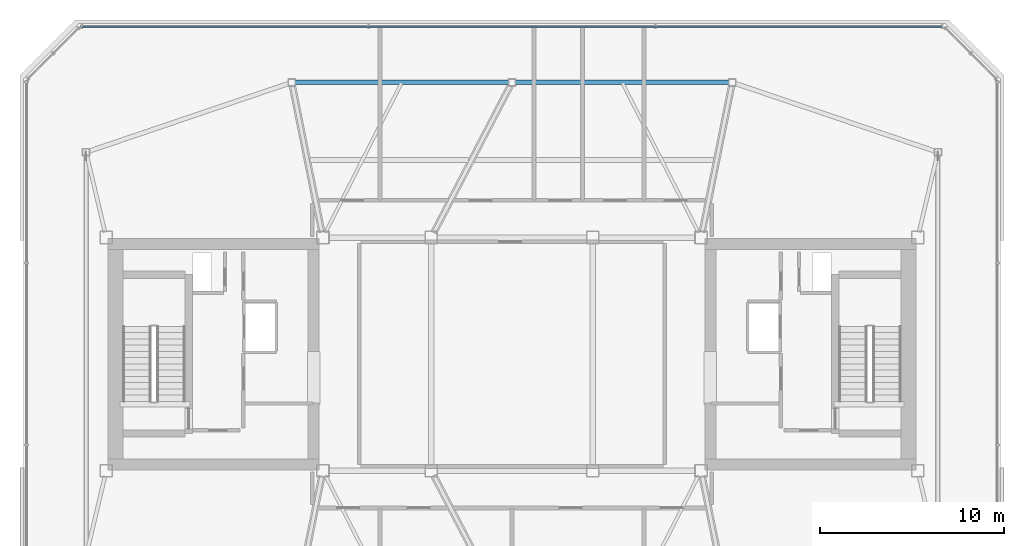
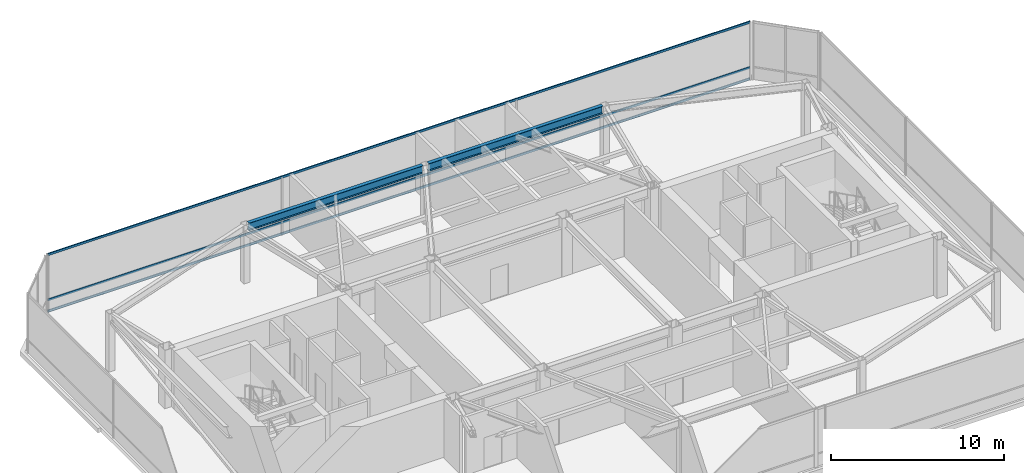
# One storey, part 14 of 21: 3 members, 2 beams, 1 element without a shape of its own.
"""IFC4 building model written with IfcOpenShell, lengths in metres."""

from ifc_helpers import new_model, si_unit, direction, frame, origin, origin_2d, place, context, subcontext, project, spatial, hollow_rectangle, i_section, extrude, material, layer, layer_set, material_profile, profile_set, type_object, element, aggregate, save


model = new_model("IFC4")

# Units and contexts
model_context = context("Model", 3, precision=1e-05, world=origin(), true_north=direction((0.0, 1.0)))
body_context = subcontext(model_context, "Body", "Model", "MODEL_VIEW")
ifc_project = project(units=[si_unit("LENGTHUNIT", "METRE"), si_unit("AREAUNIT", "SQUARE_METRE"), si_unit("VOLUMEUNIT", "CUBIC_METRE"), si_unit("PLANEANGLEUNIT", "RADIAN"), si_unit("MASSUNIT", "GRAM", prefix="KILO")], contexts=[model_context])

# Site, building, storey
site_placement = place(None, origin())
site = spatial("IfcSite", under=ifc_project, at=site_placement, CompositionType="ELEMENT")
building_placement = place(site_placement, origin())
building = spatial("IfcBuilding", under=site, at=building_placement, Name="Tavrogorsk Clinical Tower", CompositionType="ELEMENT")
storey_placement = place(building_placement, frame((0.0, 0.0, 344.199951171875)))
storey = spatial("IfcBuildingStorey", under=building, at=storey_placement, Name="L80", CompositionType="ELEMENT", Elevation=344.199951171875)

# Curtain wall, members
ifc_material_1 = material(Name="Anodised aluminium and triple IGU glazing", Category="aluminium")
ifc_layer = layer(ifc_material_1, 0.179931640625)
ifc_layer_set = layer_set([ifc_layer], Name="Anodised aluminium and triple IGU glazing")
curtain_wall_type = type_object("IfcCurtainWallType", Name="CW5_SkyLobby", PredefinedType="NOTDEFINED", material=ifc_layer_set)
curtain_wall_placement = place(storey_placement, origin())
curtain_wall = element("IfcCurtainWall", 1, at=curtain_wall_placement, inside=storey, type_object=curtain_wall_type, Name="L80 Curtain Wall CW-L80-DRUM-4", PredefinedType="NOTDEFINED")
ifc_material_2 = material(Name="Anodised aluminium alloy AW-6060", Category="aluminium")
ifc_material_profile_1 = material_profile(ifc_material_2, hollow_rectangle(XDim=0.074951171875, YDim=0.14990234375, WallThickness=0.0048828125, at=origin_2d()), Name="RHS-150x75x5")
ifc_profile_set_1 = profile_set([ifc_material_profile_1], Name="Anodised aluminium alloy AW-6060")
member_type = type_object("IfcMemberType", Name="CwTransom_150x75", PredefinedType="USERDEFINED", material=ifc_profile_set_1)
member_1_placement = place(storey_placement, frame((-23.4287109375, 17.840087890625, 0.050048828125), z_axis=(1.0, 0.0, 0.0), x_axis=(0.0, 1.0, 0.0)))
member_1 = element("IfcMember", 2, at=member_1_placement, type_object=member_type, Name="CW-L80-DRUM-4 Transom 1", ObjectType="TRANSOM", PredefinedType="USERDEFINED", context=body_context, shape_type="SweptSolid", body=[
    extrude(hollow_rectangle(XDim=0.074951171875, YDim=0.14990234375, WallThickness=0.0048828125, at=origin_2d()), origin(), (0.0, 0.0, 1.0), 46.857421875),
])
member_2_placement = place(storey_placement, frame((-23.4287109375, 17.840087890625, 0.85009765625), z_axis=(1.0, 0.0, 0.0), x_axis=(0.0, 1.0, 0.0)))
member_2 = element("IfcMember", 3, at=member_2_placement, type_object=member_type, Name="CW-L80-DRUM-4 Transom 2", ObjectType="TRANSOM", PredefinedType="USERDEFINED", context=body_context, shape_type="SweptSolid", body=[
    extrude(hollow_rectangle(XDim=0.074951171875, YDim=0.14990234375, WallThickness=0.0048828125, at=origin_2d()), origin(), (0.0, 0.0, 1.0), 46.857421875),
])
member_3_placement = place(storey_placement, frame((-23.4287109375, 17.840087890625, 4.050048828125), z_axis=(1.0, 0.0, 0.0), x_axis=(0.0, 1.0, 0.0)))
member_3 = element("IfcMember", 4, at=member_3_placement, type_object=member_type, Name="CW-L80-DRUM-4 Transom 3", ObjectType="TRANSOM", PredefinedType="USERDEFINED", context=body_context, shape_type="SweptSolid", body=[
    extrude(hollow_rectangle(XDim=0.074951171875, YDim=0.14990234375, WallThickness=0.0048828125, at=origin_2d()), origin(), (0.0, 0.0, 1.0), 46.857421875),
])
aggregate(curtain_wall, [member_1, member_2, member_3])

# Beams
ifc_material_3 = material(Name="Structural steel S390", Category="steel")
ifc_material_profile_2 = material_profile(ifc_material_3, i_section(OverallWidth=0.239990234375, OverallDepth=0.550048828125, WebThickness=0.013916015625, FlangeThickness=0.02197265625, at=origin_2d()), Name="B-550x240x14x22")
ifc_profile_set_2 = profile_set([ifc_material_profile_2], Name="Structural steel S390")
beam_type = type_object("IfcBeamType", Name="SpandrelBeam_B550", PredefinedType="SPANDREL", material=ifc_profile_set_2)
for number, where, z_axis, x_axis, name in (
    (5, (11.81005859375, 14.800048828125, 3.824951171875), (-1.0, 0.0, 0.0), (0.0, -1.0, 0.0), "L80 Crown Spandrel Beam 06"),
    (6, (-0.18994140625, 14.800048828125, 3.824951171875), (-1.0, 0.0, 0.0), (0.0, -1.0, 0.0), "L80 Crown Spandrel Beam 07"),
):
    element("IfcBeam", number, at=place(storey_placement, frame(where, z_axis=z_axis, x_axis=x_axis)), inside=storey, type_object=beam_type, Name=name, PredefinedType="SPANDREL", context=body_context, shape_type="SweptSolid", body=[
        extrude(i_section(OverallWidth=0.239990234375, OverallDepth=0.550048828125, WebThickness=0.013916015625, FlangeThickness=0.02197265625, at=origin_2d()), origin(), (0.0, 0.0, 1.0), 11.6201171875),
    ])

save(model, "model.ifc")
